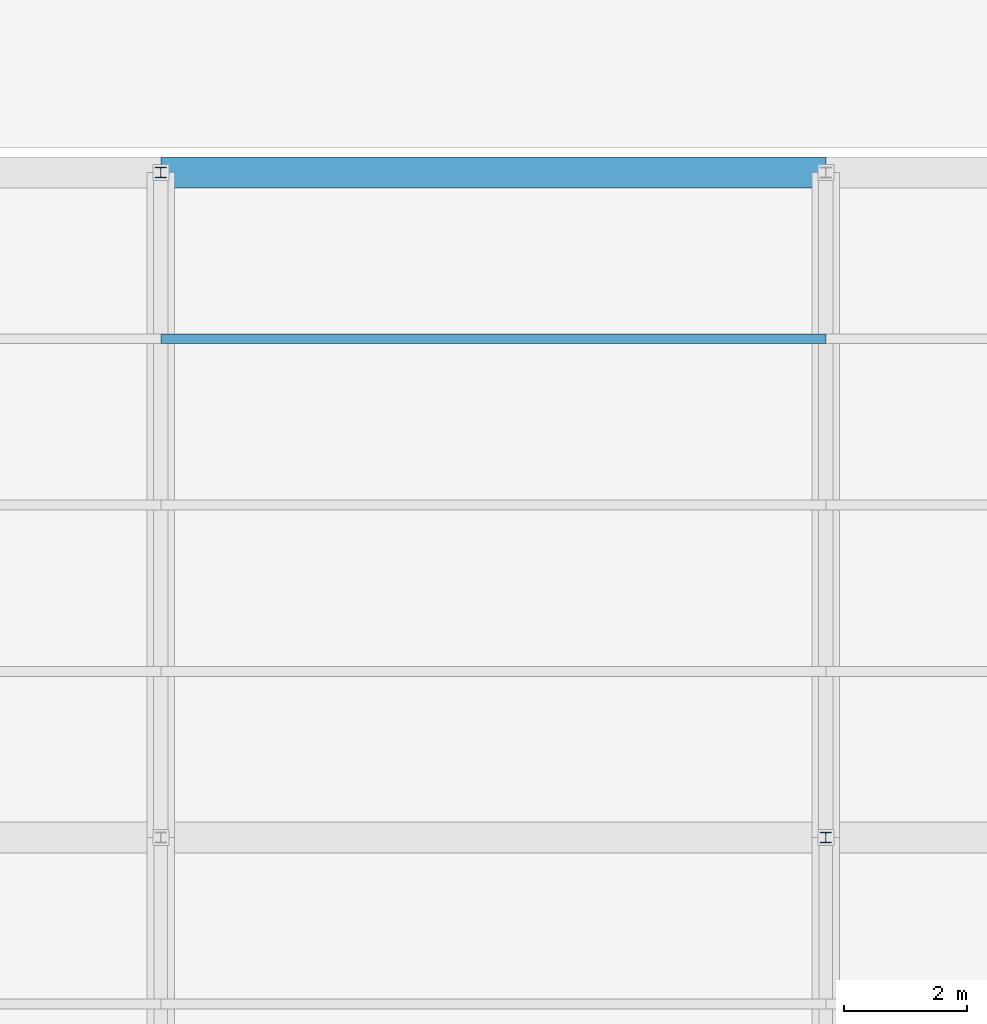
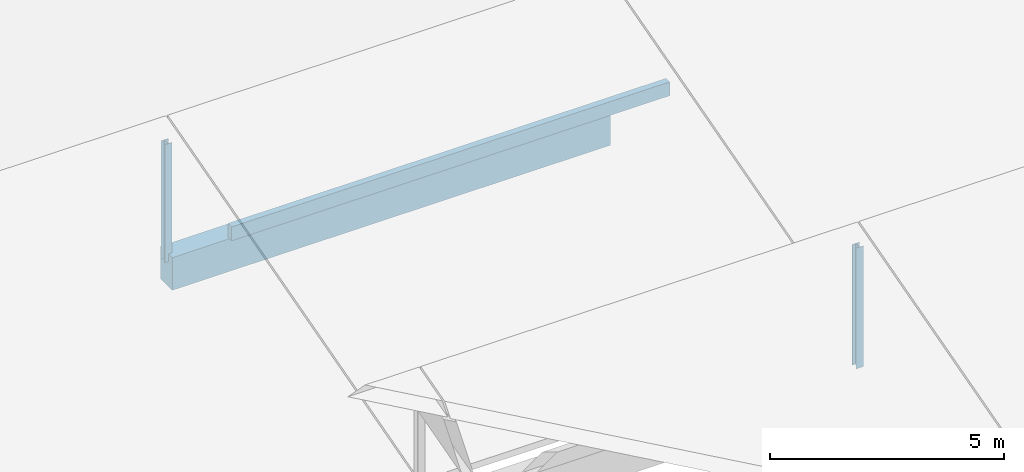
# One storey, part 34 of 112: 3 members, 1 beam.
"""IFC4 building model written with IfcOpenShell, lengths in metres."""

from ifc_helpers import new_model, si_unit, direction, frame, origin, origin_2d, place, context, subcontext, project, spatial, rectangle, i_section, extrude, material, material_profile, profile_set, type_object, element, save


model = new_model("IFC4")

# Units and contexts
model_context = context("Model", 3, precision=1e-05, world=origin(), true_north=direction((0.0, 1.0)))
body_context = subcontext(model_context, "Body", "Model", "MODEL_VIEW")
ifc_project = project(units=[si_unit("LENGTHUNIT", "METRE"), si_unit("AREAUNIT", "SQUARE_METRE"), si_unit("VOLUMEUNIT", "CUBIC_METRE"), si_unit("PLANEANGLEUNIT", "RADIAN"), si_unit("MASSUNIT", "GRAM", prefix="KILO")], contexts=[model_context])

# Site, building, storey
site_placement = place(None, origin())
site = spatial("IfcSite", under=ifc_project, at=site_placement, CompositionType="ELEMENT")
building_placement = place(site_placement, origin())
building = spatial("IfcBuilding", under=site, at=building_placement, Name="Zwinboog Wholesale Market", CompositionType="ELEMENT")
storey_placement = place(building_placement, frame((0.0, 0.0, 19.080078125)))
storey = spatial("IfcBuildingStorey", under=building, at=storey_placement, Name="Roof", CompositionType="ELEMENT", Elevation=19.080078125)

# Beam
ifc_material_1 = material(Name="Precast concrete C45/55", Category="concrete")
ifc_material_profile_1 = material_profile(ifc_material_1, rectangle(XDim=0.5, YDim=0.85009765625, at=origin_2d()), Name="PC 500x850")
ifc_profile_set_1 = profile_set([ifc_material_profile_1], Name="Precast concrete C45/55")
beam_type = type_object("IfcBeamType", Name="BT-03", PredefinedType="BEAM", material=ifc_profile_set_1)
beam_placement = place(storey_placement, frame((21.60009765625, 108.0, -9.425048828125), z_axis=(1.0, 0.0, 0.0), x_axis=(0.0, 1.0, 0.0)))
element("IfcBeam", 1, at=beam_placement, inside=storey, type_object=beam_type, Name="BG-03 (BMG-Roof-0216-1080-1189)", PredefinedType="BEAM", context=body_context, shape_type="SweptSolid", body=[
    extrude(rectangle(XDim=0.5, YDim=0.85009765625, at=origin_2d()), origin(), (0.0, 0.0, 1.0), 10.7998046875),
])

# Members
ifc_material_2 = material(Name="Steel S355", Category="steel")
ifc_material_profile_2 = material_profile(ifc_material_2, i_section(OverallWidth=0.179931640625, OverallDepth=0.1708984375, WebThickness=0.006103515625, FlangeThickness=0.009521484375, FilletRadius=0.014892578125, at=origin_2d()), Name="HEA 180")
ifc_profile_set_2 = profile_set([ifc_material_profile_2], Name="Steel S355")
member_type_1 = type_object("IfcMemberType", Name="MT-07", PredefinedType="BRACE", material=ifc_profile_set_2)
member_1_placement = place(storey_placement, frame((32.39990234375, 97.199951171875, -9.2001953125), z_axis=(0.0, 0.0, 1.0), x_axis=(1.0, 0.0, 0.0)))
element("IfcMember", 2, at=member_1_placement, inside=storey, type_object=member_type_1, Name="DB-04 (MEM-Roof-0822)", PredefinedType="BRACE", context=body_context, shape_type="SweptSolid", body=[
    extrude(i_section(OverallWidth=0.179931640625, OverallDepth=0.1708984375, WebThickness=0.006103515625, FlangeThickness=0.009521484375, FilletRadius=0.014892578125, at=origin_2d()), origin(), (0.0, 0.0, 1.0), 3.14697265625),
])
member_2_placement = place(storey_placement, frame((21.60009765625, 108.0, -9.2001953125), z_axis=(0.0, 0.0, 1.0), x_axis=(1.0, 0.0, 0.0)))
element("IfcMember", 3, at=member_2_placement, inside=storey, type_object=member_type_1, Name="DB-04 (MEM-Roof-0836)", PredefinedType="BRACE", context=body_context, shape_type="SweptSolid", body=[
    extrude(i_section(OverallWidth=0.179931640625, OverallDepth=0.1708984375, WebThickness=0.006103515625, FlangeThickness=0.009521484375, FilletRadius=0.014892578125, at=origin_2d()), origin(), (0.0, 0.0, 1.0), 3.074462890625),
])
ifc_material_3 = material(Name="Glulam GL28h", Category="wood")
ifc_material_profile_3 = material_profile(ifc_material_3, rectangle(XDim=0.159912109375, YDim=0.360107421875, at=origin_2d()), Name="GL28h 160x360")
ifc_profile_set_3 = profile_set([ifc_material_profile_3], Name="Glulam GL28h")
member_type_2 = type_object("IfcMemberType", Name="MT-12", PredefinedType="PURLIN", material=ifc_profile_set_3)
member_3_placement = place(storey_placement, frame((21.60009765625, 105.300048828125, -6.845703125), z_axis=(1.0, 0.0, 0.0), x_axis=(0.0, 1.0, 0.0)))
element("IfcMember", 4, at=member_3_placement, inside=storey, type_object=member_type_2, Name="GP-01 (MEM-Roof-0839)", PredefinedType="PURLIN", context=body_context, shape_type="SweptSolid", body=[
    extrude(rectangle(XDim=0.159912109375, YDim=0.360107421875, at=origin_2d()), origin(), (0.0, 0.0, 1.0), 10.7998046875),
])

save(model, "model.ifc")
